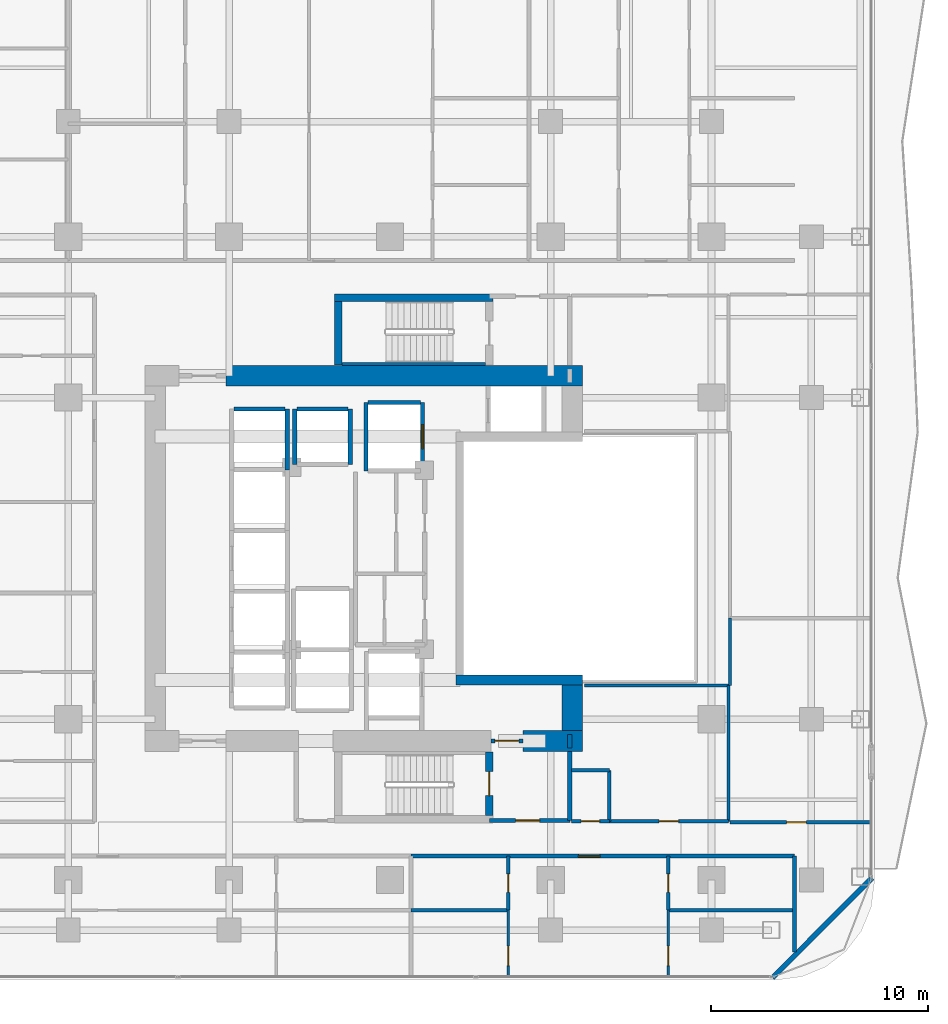
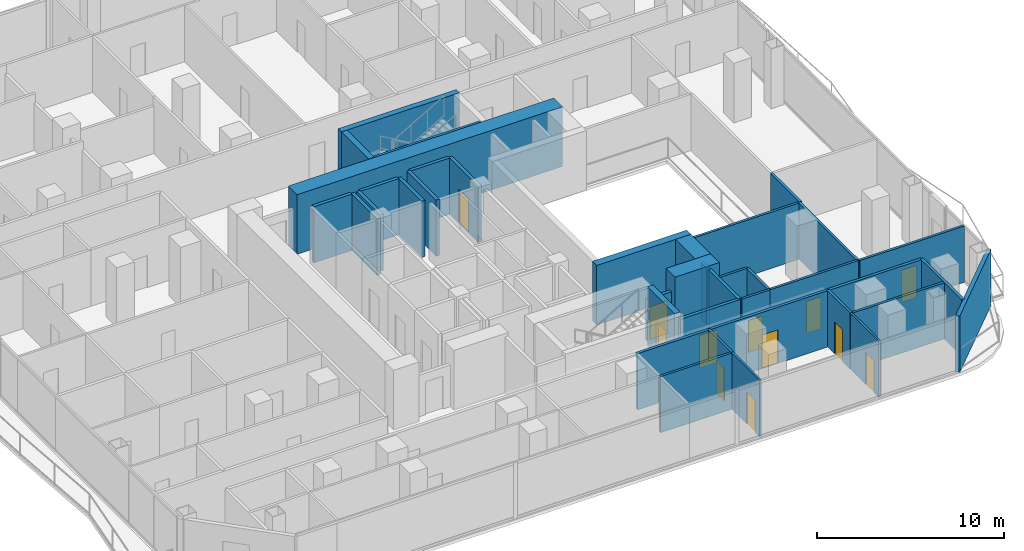
# One storey, part 21 of 28: 37 walls, 12 doors, 12 openings.
"""IFC4 building model written with IfcOpenShell, lengths in metres."""

from ifc_helpers import new_model, si_unit, direction, frame, frame_2d, origin, place, context, subcontext, project, spatial, rectangle, extrude, material, layer, layer_set, type_object, element, fill, save


model = new_model("IFC4")

# Units and contexts
model_context = context("Model", 3, precision=1e-05, world=origin(), true_north=direction((0.0, 1.0)))
body_context = subcontext(model_context, "Body", "Model", "MODEL_VIEW")
ifc_project = project(units=[si_unit("LENGTHUNIT", "METRE"), si_unit("AREAUNIT", "SQUARE_METRE"), si_unit("VOLUMEUNIT", "CUBIC_METRE"), si_unit("PLANEANGLEUNIT", "RADIAN"), si_unit("MASSUNIT", "GRAM", prefix="KILO")], contexts=[model_context])

# Site, building, storey
site_placement = place(None, origin())
site = spatial("IfcSite", under=ifc_project, at=site_placement, CompositionType="ELEMENT")
building_placement = place(site_placement, origin())
building = spatial("IfcBuilding", under=site, at=building_placement, Name="Khorvyn Point Tower", CompositionType="ELEMENT")
storey_placement = place(building_placement, frame((0.0, 0.0, 100.800048828125)))
storey = spatial("IfcBuildingStorey", under=building, at=storey_placement, Name="L25", CompositionType="ELEMENT", Elevation=100.800048828125)

# Wall, opening, door
ifc_material_1 = material(Name="Double acoustic gypsum on twin steel stud", Category="steel")
ifc_layer_1 = layer(ifc_material_1, 0.179931640625)
ifc_layer_set_1 = layer_set([ifc_layer_1], Name="Acoustic Double-Stud Apartment Demising Wall 180")
wall_type_1 = type_object("IfcWallType", Name="Acoustic Double-Stud Apartment Demising Wall 180", PredefinedType="PARTITIONING", material=ifc_layer_set_1)
wall_1_placement = place(storey_placement, frame((0.97412109375, -13.699951171875, 0.0), z_axis=(0.0, 0.0, 1.0), x_axis=(1.0, 0.0, 0.0)))
wall_1 = element("IfcWall", 1, at=wall_1_placement, inside=storey, type_object=wall_type_1, Name="Wall", PredefinedType="PARTITIONING", context=body_context, shape_type="SweptSolid", body=[
    extrude(rectangle(XDim=17.64599609375, YDim=0.179931640625, at=frame_2d((8.822998046875, 0.0))), origin(), (0.0, 0.0, 1.0), 3.679931640625),
])
opening_1_placement = place(wall_1_placement, frame((7.695068359375, 0.0, 0.0)))
opening_1 = element("IfcOpeningElement", 2, at=opening_1_placement, cuts=wall_1, Name="Opening ID-AP60", PredefinedType="OPENING", context=body_context, shape_type="SweptSolid", body=[
    extrude(rectangle(XDim=1.0, YDim=2.199951171875, at=frame_2d((0.5, 1.10009765625))), frame((0.0, 0.099853515625, 0.0), z_axis=(0.0, -1.0, 0.0), x_axis=(1.0, 0.0, 0.0)), (0.0, 0.0, 1.0), 0.199951171875),
])
ifc_material_2 = material(Name="Engineered hardwood fire-rated leaf", Category="wood")
door_type_1 = type_object("IfcDoorType", Name="Acoustic Solid-Core Timber Apartment Entrance Door 1000x2200", OperationType="NOTDEFINED", PredefinedType="DOOR", material=ifc_material_2)
door_1_placement = place(opening_1_placement, origin())
door_1 = element("IfcDoor", 3, at=door_1_placement, inside=storey, type_object=door_type_1, Name="Door", OperationType="SINGLE_SWING_RIGHT", OverallHeight=2.199951171875, OverallWidth=1.0, PredefinedType="DOOR", context=body_context, shape_type="SweptSolid", body=[
    extrude(rectangle(XDim=1.0, YDim=2.199951171875, at=frame_2d((0.5, 1.10009765625))), frame((0.0, 0.02490234375, 0.0), z_axis=(0.0, -1.0, 0.0), x_axis=(1.0, 0.0, 0.0)), (0.0, 0.0, 1.0), 0.050048828125),
])
fill(opening_1, door_1)

# Walls
wall_2_placement = place(storey_placement, frame((18.6201171875, -18.110107421875, 0.0), z_axis=(0.0, 0.0, 1.0), x_axis=(0.0, 1.0, 0.0)))
element("IfcWall", 4, at=wall_2_placement, inside=storey, type_object=wall_type_1, Name="Wall", PredefinedType="PARTITIONING", context=body_context, shape_type="SweptSolid", body=[
    extrude(rectangle(XDim=4.41015625, YDim=0.179931640625, at=frame_2d((2.205078125, 0.0))), origin(), (0.0, 0.0, 1.0), 3.679931640625),
])
ifc_material_3 = material(Name="Pale anodised aluminium rainscreen on steel stud", Category="steel")
ifc_layer_2 = layer(ifc_material_3, 0.239990234375)
ifc_layer_set_2 = layer_set([ifc_layer_2], Name="Anodised Aluminium Insulated Corner Spandrel Wall 240")
wall_type_2 = type_object("IfcWallType", Name="Anodised Aluminium Insulated Corner Spandrel Wall 240", PredefinedType="SOLIDWALL", material=ifc_layer_set_2)
wall_3_placement = place(storey_placement, frame((22.1923828125, -14.70751953125, 0.0), z_axis=(0.0, 0.0, 1.0), x_axis=(-0.707087954376, -0.707125607496, 0.0)))
element("IfcWall", 5, at=wall_3_placement, inside=storey, type_object=wall_type_2, Name="L25 Rounded Corner Wall SE", PredefinedType="SOLIDWALL", context=body_context, shape_type="SweptSolid", body=[
    extrude(rectangle(XDim=6.48388671875, YDim=0.239990234375, at=frame_2d((3.241943359375, 0.0))), origin(), (0.0, 0.0, 1.0), 3.679931640625),
])
ifc_material_4 = material(Name="Concrete C40/50", Category="concrete")
ifc_layer_3 = layer(ifc_material_4, 0.449951171875)
ifc_layer_set_3 = layer_set([ifc_layer_3], Name="Concrete C40/50 Core Shear Wall 450")
wall_type_3 = type_object("IfcWallType", Name="Concrete C40/50 Core Shear Wall 450", PredefinedType="SHEAR", material=ifc_layer_set_3)
wall_4_placement = place(storey_placement, frame((3.044921875, -5.60009765625, 0.0), z_axis=(0.0, 0.0, 1.0), x_axis=(1.0, 0.0, 0.0)))
element("IfcWall", 6, at=wall_4_placement, inside=storey, type_object=wall_type_3, Name="Wall", PredefinedType="SHEAR", context=body_context, shape_type="SweptSolid", body=[
    extrude(rectangle(XDim=5.830078125, YDim=0.449951171875, at=frame_2d((2.9150390625, 0.0))), origin(), (0.0, 0.0, 1.0), 3.89990234375),
])

# Wall, opening, door
ifc_layer_4 = layer(ifc_material_4, 0.199951171875)
ifc_layer_set_4 = layer_set([ifc_layer_4], Name="Concrete C40/50 Fire-Lobby Compartment Wall 200")
wall_type_4 = type_object("IfcWallType", Name="Concrete C40/50 Fire-Lobby Compartment Wall 200", PredefinedType="SOLIDWALL", material=ifc_layer_set_4)
wall_5_placement = place(storey_placement, frame((4.580078125, -12.06005859375, 0.0), z_axis=(0.0, 0.0, 1.0), x_axis=(1.0, 0.0, 0.0)))
wall_5 = element("IfcWall", 7, at=wall_5_placement, inside=storey, type_object=wall_type_4, Name="Wall", PredefinedType="SOLIDWALL", context=body_context, shape_type="SweptSolid", body=[
    extrude(rectangle(XDim=3.699951171875, YDim=0.199951171875, at=frame_2d((1.85009765625, 0.0))), origin(), (0.0, 0.0, 1.0), 3.679931640625),
])
opening_2_placement = place(wall_5_placement, frame((1.21240234375, 0.0, 0.0)))
opening_2 = element("IfcOpeningElement", 8, at=opening_2_placement, cuts=wall_5, Name="Opening ID-FL90", PredefinedType="OPENING", context=body_context, shape_type="SweptSolid", body=[
    extrude(rectangle(XDim=1.10009765625, YDim=2.14990234375, at=frame_2d((0.550048828125, 1.074951171875))), frame((0.0, 0.10986328125, 0.0), z_axis=(0.0, -1.0, 0.0), x_axis=(1.0, 0.0, 0.0)), (0.0, 0.0, 1.0), 0.219970703125),
])
ifc_material_5 = material(Name="Galvanised powder-coated steel", Category="steel")
door_type_2 = type_object("IfcDoorType", Name="Fire-Rated Steel Lobby and Stair Door 1100x2150", OperationType="NOTDEFINED", PredefinedType="DOOR", material=ifc_material_5)
door_2_placement = place(opening_2_placement, origin())
door_2 = element("IfcDoor", 9, at=door_2_placement, inside=storey, type_object=door_type_2, Name="Door", OperationType="SINGLE_SWING_LEFT", OverallHeight=2.14990234375, OverallWidth=1.10009765625, PredefinedType="DOOR", context=body_context, shape_type="SweptSolid", body=[
    extrude(rectangle(XDim=1.10009765625, YDim=2.14990234375, at=frame_2d((0.550048828125, 1.074951171875))), frame((0.0, 0.02490234375, 0.0), z_axis=(0.0, -1.0, 0.0), x_axis=(1.0, 0.0, 0.0)), (0.0, 0.0, 1.0), 0.050048828125),
])
fill(opening_2, door_2)

wall_6_placement = place(storey_placement, frame((4.64990234375, -8.39990234375, 0.0), z_axis=(0.0, 0.0, 1.0), x_axis=(1.0, 0.0, 0.0)))
wall_6 = element("IfcWall", 10, at=wall_6_placement, inside=storey, type_object=wall_type_4, Name="Wall", PredefinedType="SOLIDWALL", context=body_context, shape_type="SweptSolid", body=[
    extrude(rectangle(XDim=1.47021484375, YDim=0.199951171875, at=frame_2d((0.735107421875, 0.0))), origin(), (0.0, 0.0, 1.0), 2.719970703125),
])
opening_3_placement = place(wall_6_placement, frame((0.18505859375, 0.0, 0.0)))
opening_3 = element("IfcOpeningElement", 11, at=opening_3_placement, cuts=wall_6, Name="Opening ID-FL90", PredefinedType="OPENING", context=body_context, shape_type="SweptSolid", body=[
    extrude(rectangle(XDim=1.10009765625, YDim=2.14990234375, at=frame_2d((0.550048828125, 1.074951171875))), frame((0.0, 0.10986328125, 0.0), z_axis=(0.0, -1.0, 0.0), x_axis=(1.0, 0.0, 0.0)), (0.0, 0.0, 1.0), 0.219970703125),
])
door_3_placement = place(opening_3_placement, origin())
door_3 = element("IfcDoor", 12, at=door_3_placement, inside=storey, type_object=door_type_2, Name="Door", OperationType="SINGLE_SWING_RIGHT", OverallHeight=2.14990234375, OverallWidth=1.10009765625, PredefinedType="DOOR", context=body_context, shape_type="SweptSolid", body=[
    extrude(rectangle(XDim=1.10009765625, YDim=2.14990234375, at=frame_2d((0.550048828125, 1.074951171875))), frame((0.0, 0.02490234375, 0.0), z_axis=(0.0, -1.0, 0.0), x_axis=(1.0, 0.0, 0.0)), (0.0, 0.0, 1.0), 0.050048828125),
])
fill(opening_3, door_3)

# Walls
wall_7_placement = place(storey_placement, frame((8.280029296875, -12.06005859375, 0.0), z_axis=(0.0, 0.0, 1.0), x_axis=(0.0, 1.0, 0.0)))
element("IfcWall", 13, at=wall_7_placement, inside=storey, type_object=wall_type_4, Name="Wall", PredefinedType="SOLIDWALL", context=body_context, shape_type="SweptSolid", body=[
    extrude(rectangle(XDim=3.18505859375, YDim=0.199951171875, at=frame_2d((1.592529296875, 0.0))), origin(), (0.0, 0.0, 1.0), 3.679931640625),
])
wall_8_placement = place(storey_placement, frame((8.280029296875, -8.72509765625, 0.0), z_axis=(0.0, 0.0, 1.0), x_axis=(0.0, 1.0, 0.0)))
element("IfcWall", 14, at=wall_8_placement, inside=storey, type_object=wall_type_4, Name="Wall", PredefinedType="SOLIDWALL", context=body_context, shape_type="SweptSolid", body=[
    extrude(rectangle(XDim=0.625, YDim=0.199951171875, at=frame_2d((0.3125, 0.0))), origin(), (0.0, 0.0, 1.0), 3.679931640625),
])
ifc_layer_5 = layer(ifc_material_4, 0.25)
ifc_layer_set_5 = layer_set([ifc_layer_5], Name="Concrete C40/50 Stair Inner Cheek Structural Wall 250")
wall_type_5 = type_object("IfcWallType", Name="Concrete C40/50 Stair Inner Cheek Structural Wall 250", PredefinedType="SHEAR", material=ifc_layer_set_5)
wall_9_placement = place(storey_placement, frame((-2.199951171875, 8.949951171875, 0.0), z_axis=(0.0, 0.0, 1.0), x_axis=(1.0, 0.0, 0.0)))
element("IfcWall", 15, at=wall_9_placement, inside=storey, type_object=wall_type_5, Name="Wall", PredefinedType="SHEAR", context=body_context, shape_type="SweptSolid", body=[
    extrude(rectangle(XDim=6.599853515625, YDim=0.14990234375, at=frame_2d((3.2998046875, 0.0))), origin(), (0.0, 0.0, 1.0), 3.89990234375),
])

# Wall, opening, door
ifc_layer_6 = layer(ifc_material_4, 0.35009765625)
ifc_layer_set_6 = layer_set([ifc_layer_6], Name="Concrete C40/50 Stair Shaft Structural Wall 350")
wall_type_6 = type_object("IfcWallType", Name="Concrete C40/50 Stair Shaft Structural Wall 350", PredefinedType="SHEAR", material=ifc_layer_set_6)
wall_10_placement = place(storey_placement, frame((4.580078125, -8.89990234375, 0.0), z_axis=(0.0, 0.0, 1.0), x_axis=(0.0, -1.0, 0.0)))
wall_10 = element("IfcWall", 16, at=wall_10_placement, inside=storey, type_object=wall_type_6, Name="L25 ST-01 East Landing Door Wall", PredefinedType="SHEAR", context=body_context, shape_type="SweptSolid", body=[
    extrude(rectangle(XDim=2.925048828125, YDim=0.35009765625, at=frame_2d((1.46240234375, 0.0))), origin(), (0.0, 0.0, 1.0), 3.89990234375),
])
opening_4_placement = place(wall_10_placement, frame((0.91259765625, 0.0, 0.0)))
opening_4 = element("IfcOpeningElement", 17, at=opening_4_placement, cuts=wall_10, Name="Opening ID-FL90", PredefinedType="OPENING", context=body_context, shape_type="SweptSolid", body=[
    extrude(rectangle(XDim=1.10009765625, YDim=2.14990234375, at=frame_2d((0.550048828125, 1.074951171875))), frame((0.0, 0.18505859375, 0.0), z_axis=(0.0, -1.0, 0.0), x_axis=(1.0, 0.0, 0.0)), (0.0, 0.0, 1.0), 0.3701171875),
])
door_4_placement = place(opening_4_placement, origin())
door_4 = element("IfcDoor", 18, at=door_4_placement, inside=storey, type_object=door_type_2, Name="L25 ST-01 Smokeproof Landing Door", OperationType="SINGLE_SWING_LEFT", OverallHeight=2.14990234375, OverallWidth=1.10009765625, PredefinedType="DOOR", context=body_context, shape_type="SweptSolid", body=[
    extrude(rectangle(XDim=1.10009765625, YDim=2.14990234375, at=frame_2d((0.550048828125, 1.074951171875))), frame((0.0, 0.02490234375, 0.0), z_axis=(0.0, -1.0, 0.0), x_axis=(1.0, 0.0, 0.0)), (0.0, 0.0, 1.0), 0.050048828125),
])
fill(opening_4, door_4)

# Walls
wall_11_placement = place(storey_placement, frame((-2.554931640625, 12.0, 0.0), z_axis=(0.0, 0.0, 1.0), x_axis=(1.0, 0.0, 0.0)))
element("IfcWall", 19, at=wall_11_placement, inside=storey, type_object=wall_type_6, Name="L25 ST-02 North Shaft Wall", PredefinedType="SHEAR", context=body_context, shape_type="SweptSolid", body=[
    extrude(rectangle(XDim=7.309814453125, YDim=0.35009765625, at=frame_2d((3.65478515625, 0.0))), origin(), (0.0, 0.0, 1.0), 3.89990234375),
])
wall_12_placement = place(storey_placement, frame((-2.3798828125, 8.89990234375, 0.0), z_axis=(0.0, 0.0, 1.0), x_axis=(0.0, 1.0, 0.0)))
element("IfcWall", 20, at=wall_12_placement, inside=storey, type_object=wall_type_6, Name="L25 ST-02 West Shaft Wall", PredefinedType="SHEAR", context=body_context, shape_type="SweptSolid", body=[
    extrude(rectangle(XDim=2.925048828125, YDim=0.35009765625, at=frame_2d((1.46240234375, 0.0))), origin(), (0.0, 0.0, 1.0), 3.89990234375),
])
ifc_layer_7 = layer(ifc_material_4, 0.199951171875)
ifc_layer_set_7 = layer_set([ifc_layer_7], Name="Concrete C40/50 Structural Hoistway and Stair Shaft Wall 200")
wall_type_7 = type_object("IfcWallType", Name="Concrete C40/50 Structural Hoistway and Stair Shaft Wall 200", PredefinedType="SHEAR", material=ifc_layer_set_7)
wall_13_placement = place(storey_placement, frame((-4.72509765625, 4.074951171875, 0.0), z_axis=(0.0, 0.0, 1.0), x_axis=(0.0, 1.0, 0.0)))
element("IfcWall", 21, at=wall_13_placement, inside=storey, type_object=wall_type_7, Name="Wall", PredefinedType="SHEAR", context=body_context, shape_type="SweptSolid", body=[
    extrude(rectangle(XDim=2.800048828125, YDim=0.199951171875, at=frame_2d((1.39990234375, 0.0))), origin(), (0.0, 0.0, 1.0), 3.679931640625),
])
wall_14_placement = place(storey_placement, frame((-7.175048828125, 6.875, 0.0), z_axis=(0.0, 0.0, 1.0), x_axis=(1.0, 0.0, 0.0)))
element("IfcWall", 22, at=wall_14_placement, inside=storey, type_object=wall_type_7, Name="Wall", PredefinedType="SHEAR", context=body_context, shape_type="SweptSolid", body=[
    extrude(rectangle(XDim=2.35009765625, YDim=0.199951171875, at=frame_2d((1.175048828125, 0.0))), origin(), (0.0, 0.0, 1.0), 3.679931640625),
])
for number, where, z_axis, x_axis, name in (
    (23, (-4.375, 4.324951171875, 0.0), (0.0, 0.0, 1.0), (0.0, 1.0, 0.0), "Wall"),
    (24, (-1.824951171875, 4.324951171875, 0.0), (0.0, 0.0, 1.0), (0.0, 1.0, 0.0), "Wall"),
):
    element("IfcWall", number, at=place(storey_placement, frame(where, z_axis=z_axis, x_axis=x_axis)), inside=storey, type_object=wall_type_7, Name=name, PredefinedType="SHEAR", context=body_context, shape_type="SweptSolid", body=[
        extrude(rectangle(XDim=2.550048828125, YDim=0.199951171875, at=frame_2d((1.27490234375, 0.0))), origin(), (0.0, 0.0, 1.0), 3.679931640625),
    ])
wall_15_placement = place(storey_placement, frame((-4.27490234375, 6.875, 0.0), z_axis=(0.0, 0.0, 1.0), x_axis=(1.0, 0.0, 0.0)))
element("IfcWall", 25, at=wall_15_placement, inside=storey, type_object=wall_type_7, Name="Wall", PredefinedType="SHEAR", context=body_context, shape_type="SweptSolid", body=[
    extrude(rectangle(XDim=2.349853515625, YDim=0.199951171875, at=frame_2d((1.1748046875, 0.0))), origin(), (0.0, 0.0, 1.0), 3.679931640625),
])
wall_16_placement = place(storey_placement, frame((-1.10009765625, 4.02490234375, 0.0), z_axis=(0.0, 0.0, 1.0), x_axis=(0.0, 1.0, 0.0)))
element("IfcWall", 26, at=wall_16_placement, inside=storey, type_object=wall_type_7, Name="Wall", PredefinedType="SHEAR", context=body_context, shape_type="SweptSolid", body=[
    extrude(rectangle(XDim=3.150146484375, YDim=0.199951171875, at=frame_2d((1.5751953125, 0.0))), origin(), (0.0, 0.0, 1.0), 3.679931640625),
])

# Wall, opening, door
wall_17_placement = place(storey_placement, frame((1.5, 4.02490234375, 0.0), z_axis=(0.0, 0.0, 1.0), x_axis=(0.0, 1.0, 0.0)))
wall_17 = element("IfcWall", 27, at=wall_17_placement, inside=storey, type_object=wall_type_7, Name="Wall", PredefinedType="SHEAR", context=body_context, shape_type="SweptSolid", body=[
    extrude(rectangle(XDim=3.150146484375, YDim=0.199951171875, at=frame_2d((1.5751953125, 0.0))), origin(), (0.0, 0.0, 1.0), 3.679931640625),
])
opening_5_placement = place(wall_17_placement, frame((1.02490234375, 0.0, 0.0)))
opening_5 = element("IfcOpeningElement", 28, at=opening_5_placement, cuts=wall_17, Name="Opening LD-1122", PredefinedType="OPENING", context=body_context, shape_type="SweptSolid", body=[
    extrude(rectangle(XDim=1.10009765625, YDim=2.199951171875, at=frame_2d((0.550048828125, 1.10009765625))), frame((0.0, 0.10986328125, 0.0), z_axis=(0.0, -1.0, 0.0), x_axis=(1.0, 0.0, 0.0)), (0.0, 0.0, 1.0), 0.219970703125),
])
ifc_material_6 = material(Name="Stainless steel 1.4301", Category="steel")
door_type_3 = type_object("IfcDoorType", Name="Stainless Steel Automatic Sliding Lift Landing Door 1100x2200", OperationType="SLIDING_TO_LEFT", PredefinedType="DOOR", material=ifc_material_6)
door_5_placement = place(opening_5_placement, origin())
door_5 = element("IfcDoor", 29, at=door_5_placement, inside=storey, type_object=door_type_3, Name="L25 SV-01 Sliding Lift Landing Door", OperationType="SLIDING_TO_LEFT", OverallHeight=2.199951171875, OverallWidth=1.10009765625, PredefinedType="DOOR", context=body_context, shape_type="SweptSolid", body=[
    extrude(rectangle(XDim=1.10009765625, YDim=2.199951171875, at=frame_2d((0.550048828125, 1.10009765625))), frame((0.0, 0.02490234375, 0.0), z_axis=(0.0, -1.0, 0.0), x_axis=(1.0, 0.0, 0.0)), (0.0, 0.0, 1.0), 0.050048828125),
])
fill(opening_5, door_5)

# Walls
wall_18_placement = place(storey_placement, frame((-1.0, 7.175048828125, 0.0), z_axis=(0.0, 0.0, 1.0), x_axis=(1.0, 0.0, 0.0)))
element("IfcWall", 30, at=wall_18_placement, inside=storey, type_object=wall_type_7, Name="Wall", PredefinedType="SHEAR", context=body_context, shape_type="SweptSolid", body=[
    extrude(rectangle(XDim=2.39990234375, YDim=0.199951171875, at=frame_2d((1.199951171875, 0.0))), origin(), (0.0, 0.0, 1.0), 3.679931640625),
])
ifc_material_7 = material(Name="Concrete C50/60", Category="concrete")
ifc_layer_8 = layer(ifc_material_7, 0.949951171875)
ifc_layer_set_8 = layer_set([ifc_layer_8], Name="Concrete C50/60 Core Shear Wall 950")
wall_type_8 = type_object("IfcWallType", Name="Concrete C50/60 Core Shear Wall 950", PredefinedType="SHEAR", material=ifc_layer_set_8)
wall_19_placement = place(storey_placement, frame((6.1201171875, -8.39990234375, 0.0), z_axis=(0.0, 0.0, 1.0), x_axis=(1.0, 0.0, 0.0)))
element("IfcWall", 31, at=wall_19_placement, inside=storey, type_object=wall_type_8, Name="Wall", PredefinedType="SHEAR", context=body_context, shape_type="SweptSolid", body=[
    extrude(rectangle(XDim=2.7548828125, YDim=0.949951171875, at=frame_2d((1.37744140625, 0.0))), origin(), (0.0, 0.0, 1.0), 3.89990234375),
])
wall_20_placement = place(storey_placement, frame((-7.550048828125, 8.39990234375, 0.0), z_axis=(0.0, 0.0, 1.0), x_axis=(1.0, 0.0, 0.0)))
element("IfcWall", 32, at=wall_20_placement, inside=storey, type_object=wall_type_8, Name="Wall", PredefinedType="SHEAR", context=body_context, shape_type="SweptSolid", body=[
    extrude(rectangle(XDim=16.425048828125, YDim=0.949951171875, at=frame_2d((8.21240234375, 0.0))), origin(), (0.0, 0.0, 1.0), 3.89990234375),
])
wall_21_placement = place(storey_placement, frame((8.39990234375, -7.925048828125, 0.0), z_axis=(0.0, 0.0, 1.0), x_axis=(0.0, 1.0, 0.0)))
element("IfcWall", 33, at=wall_21_placement, inside=storey, type_object=wall_type_8, Name="Wall", PredefinedType="SHEAR", context=body_context, shape_type="SweptSolid", body=[
    extrude(rectangle(XDim=2.10009765625, YDim=0.949951171875, at=frame_2d((1.050048828125, 0.0))), origin(), (0.0, 0.0, 1.0), 3.89990234375),
])

# Wall, opening, door
ifc_material_8 = material(Name="Gypsum plasterboard on steel stud", Category="steel")
ifc_layer_9 = layer(ifc_material_8, 0.1201171875)
ifc_layer_set_9 = layer_set([ifc_layer_9], Name="Gypsum Acoustic Stud Room Partition Wall 120")
wall_type_9 = type_object("IfcWallType", Name="Gypsum Acoustic Stud Room Partition Wall 120", PredefinedType="PARTITIONING", material=ifc_layer_set_9)
wall_22_placement = place(storey_placement, frame((5.449951171875, -19.22998046875, 0.0), z_axis=(0.0, 0.0, 1.0), x_axis=(0.0, 1.0, 0.0)))
wall_22 = element("IfcWall", 34, at=wall_22_placement, inside=storey, type_object=wall_type_9, Name="Wall", PredefinedType="PARTITIONING", context=body_context, shape_type="SweptSolid", body=[
    extrude(rectangle(XDim=3.0400390625, YDim=0.1201171875, at=frame_2d((1.52001953125, 0.0))), origin(), (0.0, 0.0, 1.0), 3.679931640625),
])
opening_6_placement = place(wall_22_placement, frame((0.490966796875, 0.0, 0.0)))
opening_6 = element("IfcOpeningElement", 35, at=opening_6_placement, cuts=wall_22, Name="Opening ID-RM90", PredefinedType="OPENING", context=body_context, shape_type="SweptSolid", body=[
    extrude(rectangle(XDim=0.89990234375, YDim=2.10009765625, at=frame_2d((0.449951171875, 1.050048828125))), frame((0.0, 0.070068359375, 0.0), z_axis=(0.0, -1.0, 0.0), x_axis=(1.0, 0.0, 0.0)), (0.0, 0.0, 1.0), 0.14013671875),
])
ifc_material_9 = material(Name="Engineered oak veneer timber", Category="wood")
door_type_4 = type_object("IfcDoorType", Name="Flush Engineered Timber Room Door 900x2100", OperationType="NOTDEFINED", PredefinedType="DOOR", material=ifc_material_9)
door_6_placement = place(opening_6_placement, origin())
door_6 = element("IfcDoor", 36, at=door_6_placement, inside=storey, type_object=door_type_4, Name="Door", OperationType="SINGLE_SWING_RIGHT", OverallHeight=2.10009765625, OverallWidth=0.89990234375, PredefinedType="DOOR", context=body_context, shape_type="SweptSolid", body=[
    extrude(rectangle(XDim=0.89990234375, YDim=2.10009765625, at=frame_2d((0.449951171875, 1.050048828125))), frame((0.0, 0.02490234375, 0.0), z_axis=(0.0, -1.0, 0.0), x_axis=(1.0, 0.0, 0.0)), (0.0, 0.0, 1.0), 0.050048828125),
])
fill(opening_6, door_6)

wall_23_placement = place(storey_placement, frame((12.81396484375, -19.22998046875, 0.0), z_axis=(0.0, 0.0, 1.0), x_axis=(0.0, 1.0, 0.0)))
wall_23 = element("IfcWall", 37, at=wall_23_placement, inside=storey, type_object=wall_type_9, Name="Wall", PredefinedType="PARTITIONING", context=body_context, shape_type="SweptSolid", body=[
    extrude(rectangle(XDim=3.0400390625, YDim=0.1201171875, at=frame_2d((1.52001953125, 0.0))), origin(), (0.0, 0.0, 1.0), 3.679931640625),
])
opening_7_placement = place(wall_23_placement, frame((0.490966796875, 0.0, 0.0)))
opening_7 = element("IfcOpeningElement", 38, at=opening_7_placement, cuts=wall_23, Name="Opening ID-RM90", PredefinedType="OPENING", context=body_context, shape_type="SweptSolid", body=[
    extrude(rectangle(XDim=0.89990234375, YDim=2.10009765625, at=frame_2d((0.449951171875, 1.050048828125))), frame((0.0, 0.070068359375, 0.0), z_axis=(0.0, -1.0, 0.0), x_axis=(1.0, 0.0, 0.0)), (0.0, 0.0, 1.0), 0.14013671875),
])
door_7_placement = place(opening_7_placement, origin())
door_7 = element("IfcDoor", 39, at=door_7_placement, inside=storey, type_object=door_type_4, Name="Door", OperationType="SINGLE_SWING_RIGHT", OverallHeight=2.10009765625, OverallWidth=0.89990234375, PredefinedType="DOOR", context=body_context, shape_type="SweptSolid", body=[
    extrude(rectangle(XDim=0.89990234375, YDim=2.10009765625, at=frame_2d((0.449951171875, 1.050048828125))), frame((0.0, 0.02490234375, 0.0), z_axis=(0.0, -1.0, 0.0), x_axis=(1.0, 0.0, 0.0)), (0.0, 0.0, 1.0), 0.050048828125),
])
fill(opening_7, door_7)

ifc_material_10 = material(Name="Moisture-resistant gypsum and cement board", Category="gypsum")
ifc_layer_10 = layer(ifc_material_10, 0.14990234375)
ifc_layer_set_10 = layer_set([ifc_layer_10], Name="Moisture-Resistant Wet-Room Partition Wall 150")
wall_type_10 = type_object("IfcWallType", Name="Moisture-Resistant Wet-Room Partition Wall 150", PredefinedType="PARTITIONING", material=ifc_layer_set_10)
wall_24_placement = place(storey_placement, frame((8.360107421875, -12.10009765625, 0.0), z_axis=(0.0, 0.0, 1.0), x_axis=(1.0, 0.0, 0.0)))
wall_24 = element("IfcWall", 40, at=wall_24_placement, inside=storey, type_object=wall_type_10, Name="Wall", PredefinedType="PARTITIONING", context=body_context, shape_type="SweptSolid", body=[
    extrude(rectangle(XDim=1.739990234375, YDim=0.14990234375, at=frame_2d((0.8701171875, 0.0))), origin(), (0.0, 0.0, 1.0), 3.679931640625),
])
opening_8_placement = place(wall_24_placement, frame((0.445068359375, 0.0, 0.0)))
opening_8 = element("IfcOpeningElement", 41, at=opening_8_placement, cuts=wall_24, Name="Opening ID-WC85", PredefinedType="OPENING", context=body_context, shape_type="SweptSolid", body=[
    extrude(rectangle(XDim=0.85009765625, YDim=2.10009765625, at=frame_2d((0.425048828125, 1.050048828125))), frame((0.0, 0.0849609375, 0.0), z_axis=(0.0, -1.0, 0.0), x_axis=(1.0, 0.0, 0.0)), (0.0, 0.0, 1.0), 0.169921875),
])
ifc_material_11 = material(Name="High-pressure laminate on moisture-resistant core", Category="wood")
door_type_5 = type_object("IfcDoorType", Name="Moisture-Resistant Accessible Washroom Door 850x2100", OperationType="NOTDEFINED", PredefinedType="DOOR", material=ifc_material_11)
door_8_placement = place(opening_8_placement, origin())
door_8 = element("IfcDoor", 42, at=door_8_placement, inside=storey, type_object=door_type_5, Name="Door", OperationType="SINGLE_SWING_LEFT", OverallHeight=2.10009765625, OverallWidth=0.85009765625, PredefinedType="DOOR", context=body_context, shape_type="SweptSolid", body=[
    extrude(rectangle(XDim=0.85009765625, YDim=2.10009765625, at=frame_2d((0.425048828125, 1.050048828125))), frame((0.0, 0.02490234375, 0.0), z_axis=(0.0, -1.0, 0.0), x_axis=(1.0, 0.0, 0.0)), (0.0, 0.0, 1.0), 0.050048828125),
])
fill(opening_8, door_8)

wall_25_placement = place(storey_placement, frame((10.10009765625, -12.10009765625, 0.0), z_axis=(0.0, 0.0, 1.0), x_axis=(1.0, 0.0, 0.0)))
wall_25 = element("IfcWall", 43, at=wall_25_placement, inside=storey, type_object=wall_type_10, Name="Wall", PredefinedType="PARTITIONING", context=body_context, shape_type="SweptSolid", body=[
    extrude(rectangle(XDim=5.47998046875, YDim=0.14990234375, at=frame_2d((2.739990234375, 0.0))), origin(), (0.0, 0.0, 1.0), 3.679931640625),
])
opening_9_placement = place(wall_25_placement, frame((2.2900390625, 0.0, 0.0)))
opening_9 = element("IfcOpeningElement", 44, at=opening_9_placement, cuts=wall_25, Name="Opening ID-RM90", PredefinedType="OPENING", context=body_context, shape_type="SweptSolid", body=[
    extrude(rectangle(XDim=0.89990234375, YDim=2.10009765625, at=frame_2d((0.449951171875, 1.050048828125))), frame((0.0, 0.0849609375, 0.0), z_axis=(0.0, -1.0, 0.0), x_axis=(1.0, 0.0, 0.0)), (0.0, 0.0, 1.0), 0.169921875),
])
door_9_placement = place(opening_9_placement, origin())
door_9 = element("IfcDoor", 45, at=door_9_placement, inside=storey, type_object=door_type_4, Name="Door", OperationType="SINGLE_SWING_RIGHT", OverallHeight=2.10009765625, OverallWidth=0.89990234375, PredefinedType="DOOR", context=body_context, shape_type="SweptSolid", body=[
    extrude(rectangle(XDim=0.89990234375, YDim=2.10009765625, at=frame_2d((0.449951171875, 1.050048828125))), frame((0.0, 0.02490234375, 0.0), z_axis=(0.0, -1.0, 0.0), x_axis=(1.0, 0.0, 0.0)), (0.0, 0.0, 1.0), 0.050048828125),
])
fill(opening_9, door_9)

wall_26_placement = place(storey_placement, frame((5.449951171875, -16.18994140625, 0.0), z_axis=(0.0, 0.0, 1.0), x_axis=(0.0, 1.0, 0.0)))
wall_26 = element("IfcWall", 46, at=wall_26_placement, inside=storey, type_object=wall_type_10, Name="Wall", PredefinedType="PARTITIONING", context=body_context, shape_type="SweptSolid", body=[
    extrude(rectangle(XDim=2.489990234375, YDim=0.14990234375, at=frame_2d((1.2451171875, 0.0))), origin(), (0.0, 0.0, 1.0), 3.679931640625),
])
opening_10_placement = place(wall_26_placement, frame((0.820068359375, 0.0, 0.0)))
opening_10 = element("IfcOpeningElement", 47, at=opening_10_placement, cuts=wall_26, Name="Opening ID-WC85", PredefinedType="OPENING", context=body_context, shape_type="SweptSolid", body=[
    extrude(rectangle(XDim=0.85009765625, YDim=2.10009765625, at=frame_2d((0.425048828125, 1.050048828125))), frame((0.0, 0.0849609375, 0.0), z_axis=(0.0, -1.0, 0.0), x_axis=(1.0, 0.0, 0.0)), (0.0, 0.0, 1.0), 0.169921875),
])
door_10_placement = place(opening_10_placement, origin())
door_10 = element("IfcDoor", 48, at=door_10_placement, inside=storey, type_object=door_type_5, Name="Door", OperationType="SINGLE_SWING_LEFT", OverallHeight=2.10009765625, OverallWidth=0.85009765625, PredefinedType="DOOR", context=body_context, shape_type="SweptSolid", body=[
    extrude(rectangle(XDim=0.85009765625, YDim=2.10009765625, at=frame_2d((0.425048828125, 1.050048828125))), frame((0.0, 0.02490234375, 0.0), z_axis=(0.0, -1.0, 0.0), x_axis=(1.0, 0.0, 0.0)), (0.0, 0.0, 1.0), 0.050048828125),
])
fill(opening_10, door_10)

wall_27_placement = place(storey_placement, frame((12.81396484375, -16.18994140625, 0.0), z_axis=(0.0, 0.0, 1.0), x_axis=(0.0, 1.0, 0.0)))
wall_27 = element("IfcWall", 49, at=wall_27_placement, inside=storey, type_object=wall_type_10, Name="Wall", PredefinedType="PARTITIONING", context=body_context, shape_type="SweptSolid", body=[
    extrude(rectangle(XDim=2.489990234375, YDim=0.14990234375, at=frame_2d((1.2451171875, 0.0))), origin(), (0.0, 0.0, 1.0), 3.679931640625),
])
opening_11_placement = place(wall_27_placement, frame((0.820068359375, 0.0, 0.0)))
opening_11 = element("IfcOpeningElement", 50, at=opening_11_placement, cuts=wall_27, Name="Opening ID-WC85", PredefinedType="OPENING", context=body_context, shape_type="SweptSolid", body=[
    extrude(rectangle(XDim=0.85009765625, YDim=2.10009765625, at=frame_2d((0.425048828125, 1.050048828125))), frame((0.0, 0.0849609375, 0.0), z_axis=(0.0, -1.0, 0.0), x_axis=(1.0, 0.0, 0.0)), (0.0, 0.0, 1.0), 0.169921875),
])
door_11_placement = place(opening_11_placement, origin())
door_11 = element("IfcDoor", 51, at=door_11_placement, inside=storey, type_object=door_type_5, Name="Door", OperationType="SINGLE_SWING_LEFT", OverallHeight=2.10009765625, OverallWidth=0.85009765625, PredefinedType="DOOR", context=body_context, shape_type="SweptSolid", body=[
    extrude(rectangle(XDim=0.85009765625, YDim=2.10009765625, at=frame_2d((0.425048828125, 1.050048828125))), frame((0.0, 0.02490234375, 0.0), z_axis=(0.0, -1.0, 0.0), x_axis=(1.0, 0.0, 0.0)), (0.0, 0.0, 1.0), 0.050048828125),
])
fill(opening_11, door_11)

wall_28_placement = place(storey_placement, frame((15.64990234375, -12.139892578125, 0.0), z_axis=(0.0, 0.0, 1.0), x_axis=(1.0, 0.0, 0.0)))
wall_28 = element("IfcWall", 52, at=wall_28_placement, inside=storey, type_object=wall_type_10, Name="Wall", PredefinedType="PARTITIONING", context=body_context, shape_type="SweptSolid", body=[
    extrude(rectangle(XDim=6.47021484375, YDim=0.14990234375, at=frame_2d((3.235107421875, 0.0))), origin(), (0.0, 0.0, 1.0), 3.679931640625),
])
opening_12_placement = place(wall_28_placement, frame((2.610107421875, 0.0, 0.0)))
opening_12 = element("IfcOpeningElement", 53, at=opening_12_placement, cuts=wall_28, Name="Opening ID-RM90", PredefinedType="OPENING", context=body_context, shape_type="SweptSolid", body=[
    extrude(rectangle(XDim=0.89990234375, YDim=2.10009765625, at=frame_2d((0.449951171875, 1.050048828125))), frame((0.0, 0.0849609375, 0.0), z_axis=(0.0, -1.0, 0.0), x_axis=(1.0, 0.0, 0.0)), (0.0, 0.0, 1.0), 0.169921875),
])
door_12_placement = place(opening_12_placement, origin())
door_12 = element("IfcDoor", 54, at=door_12_placement, inside=storey, type_object=door_type_4, Name="Door", OperationType="SINGLE_SWING_RIGHT", OverallHeight=2.10009765625, OverallWidth=0.89990234375, PredefinedType="DOOR", context=body_context, shape_type="SweptSolid", body=[
    extrude(rectangle(XDim=0.89990234375, YDim=2.10009765625, at=frame_2d((0.449951171875, 1.050048828125))), frame((0.0, 0.02490234375, 0.0), z_axis=(0.0, -1.0, 0.0), x_axis=(1.0, 0.0, 0.0)), (0.0, 0.0, 1.0), 0.050048828125),
])
fill(opening_12, door_12)

# Walls
wall_29_placement = place(storey_placement, frame((8.360107421875, -9.75, 0.0), z_axis=(0.0, 0.0, 1.0), x_axis=(1.0, 0.0, 0.0)))
element("IfcWall", 55, at=wall_29_placement, inside=storey, type_object=wall_type_10, Name="Wall", PredefinedType="PARTITIONING", context=body_context, shape_type="SweptSolid", body=[
    extrude(rectangle(XDim=1.739990234375, YDim=0.14990234375, at=frame_2d((0.8701171875, 0.0))), origin(), (0.0, 0.0, 1.0), 3.679931640625),
])
wall_30_placement = place(storey_placement, frame((10.10009765625, -12.10009765625, 0.0), z_axis=(0.0, 0.0, 1.0), x_axis=(0.0, 1.0, 0.0)))
element("IfcWall", 56, at=wall_30_placement, inside=storey, type_object=wall_type_10, Name="Wall", PredefinedType="PARTITIONING", context=body_context, shape_type="SweptSolid", body=[
    extrude(rectangle(XDim=2.35009765625, YDim=0.14990234375, at=frame_2d((1.175048828125, 0.0))), origin(), (0.0, 0.0, 1.0), 3.679931640625),
])
wall_31_placement = place(storey_placement, frame((15.580078125, -12.10009765625, 0.0), z_axis=(0.0, 0.0, 1.0), x_axis=(0.0, 1.0, 0.0)))
element("IfcWall", 57, at=wall_31_placement, inside=storey, type_object=wall_type_10, Name="Wall", PredefinedType="PARTITIONING", context=body_context, shape_type="SweptSolid", body=[
    extrude(rectangle(XDim=6.25, YDim=0.14990234375, at=frame_2d((3.125, 0.0))), origin(), (0.0, 0.0, 1.0), 3.679931640625),
])
wall_32_placement = place(storey_placement, frame((8.9599609375, -5.85009765625, 0.0), z_axis=(0.0, 0.0, 1.0), x_axis=(1.0, 0.0, 0.0)))
element("IfcWall", 58, at=wall_32_placement, inside=storey, type_object=wall_type_10, Name="Wall", PredefinedType="PARTITIONING", context=body_context, shape_type="SweptSolid", body=[
    extrude(rectangle(XDim=6.6201171875, YDim=0.14990234375, at=frame_2d((3.31005859375, 0.0))), origin(), (0.0, 0.0, 1.0), 3.679931640625),
])
wall_33_placement = place(storey_placement, frame((0.97412109375, -16.18994140625, 0.0), z_axis=(0.0, 0.0, 1.0), x_axis=(1.0, 0.0, 0.0)))
element("IfcWall", 59, at=wall_33_placement, inside=storey, type_object=wall_type_10, Name="Wall", PredefinedType="PARTITIONING", context=body_context, shape_type="SweptSolid", body=[
    extrude(rectangle(XDim=4.475830078125, YDim=0.14990234375, at=frame_2d((2.23779296875, 0.0))), origin(), (0.0, 0.0, 1.0), 3.679931640625),
])
wall_34_placement = place(storey_placement, frame((12.81396484375, -16.18994140625, 0.0), z_axis=(0.0, 0.0, 1.0), x_axis=(1.0, 0.0, 0.0)))
element("IfcWall", 60, at=wall_34_placement, inside=storey, type_object=wall_type_10, Name="Wall", PredefinedType="PARTITIONING", context=body_context, shape_type="SweptSolid", body=[
    extrude(rectangle(XDim=5.80615234375, YDim=0.14990234375, at=frame_2d((2.903076171875, 0.0))), origin(), (0.0, 0.0, 1.0), 3.679931640625),
])
wall_35_placement = place(storey_placement, frame((15.64990234375, -5.85009765625, 0.0), z_axis=(0.0, 0.0, 1.0), x_axis=(0.0, 1.0, 0.0)))
element("IfcWall", 61, at=wall_35_placement, inside=storey, type_object=wall_type_10, Name="Wall", PredefinedType="PARTITIONING", context=body_context, shape_type="SweptSolid", body=[
    extrude(rectangle(XDim=3.10009765625, YDim=0.14990234375, at=frame_2d((1.550048828125, 0.0))), origin(), (0.0, 0.0, 1.0), 3.679931640625),
])

save(model, "model.ifc")
